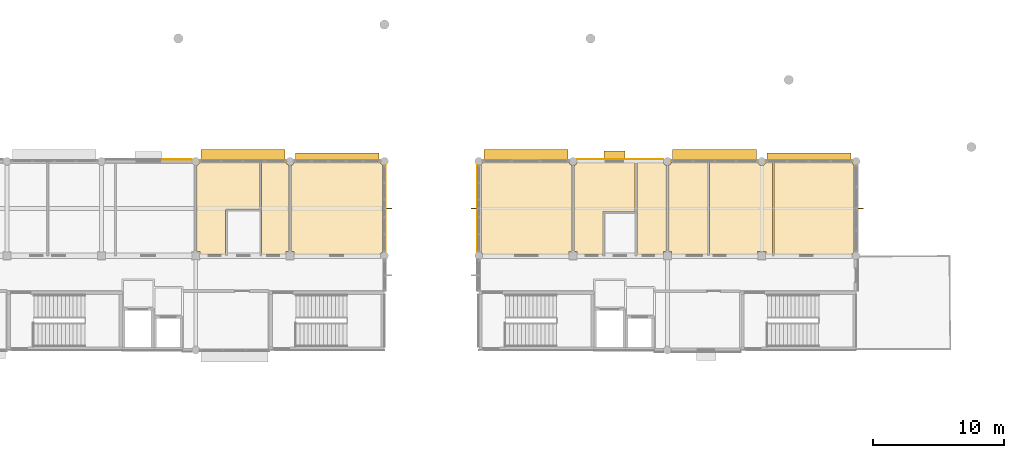
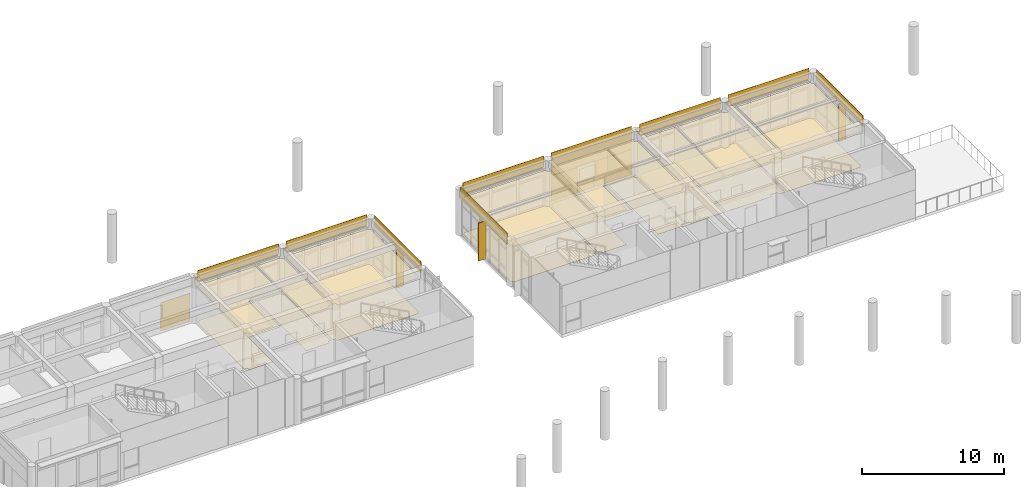
# One storey, part 40 of 41: 31 coverings, 9 shading devices.
"""IFC4 building model written with IfcOpenShell, lengths in metres."""

import ifcopenshell
import ifcopenshell.guid

model = None  # the IFC model being written
_history = None  # IfcOwnerHistory: only IFC2X3 demands one
_inside = {}  # id of a spatial element -> (the spatial element, [elements in it])
_under = {}  # id of a project, library or spatial element -> (it, [spatial elements below it])
_declared = {}  # id of a project -> (the project, [libraries it declares])
_typed = {}  # id of a type object -> (the type object, [elements of that type])
_made_of = {}  # id of a material, layer set ... -> (it, [elements and type objects made of it])


def new_model(schema):
    """Start an empty IFC model of exactly this schema.

    Asked for "IFC4X3", IfcOpenShell would pick the latest addendum, in which some entities
    have other attributes; the version numbers below select the first issue.
    IFC2X3 requires an IfcOwnerHistory on every rooted entity: one is made here for all.
    """
    global model, _history
    if schema == "IFC4X3":
        model = ifcopenshell.file(schema_version=(4, 3, 0, 0))
    else:
        model = ifcopenshell.file(schema=schema)
    _inside.clear()
    _under.clear()
    _declared.clear()
    _typed.clear()
    _made_of.clear()
    _history = None
    if model.schema == "IFC2X3":
        org = make("IfcOrganization", Name="unknown")
        user = make(
            "IfcPersonAndOrganization",
            ThePerson=make("IfcPerson", FamilyName="unknown"),
            TheOrganization=org,
        )
        app = make(
            "IfcApplication",
            ApplicationDeveloper=org,
            Version="unknown",
            ApplicationFullName="unknown",
            ApplicationIdentifier="unknown",
        )
        _history = make(
            "IfcOwnerHistory",
            OwningUser=user,
            OwningApplication=app,
            ChangeAction="ADDED",
            CreationDate=0,
        )
    return model


def make(cls, **values):
    """One entity of the class cls with the attributes given. An attribute that is None is left unset."""
    return model.create_entity(
        cls, **{name: value for name, value in values.items() if value is not None}
    )


def rooted(cls, **values):
    """An entity with a GlobalId (a new one), such as an element, a storey or a relation."""
    return make(cls, GlobalId=ifcopenshell.guid.new(), OwnerHistory=_history, **values)


def si_unit(unit_type, name, prefix=None):
    """IfcSIUnit, for example si_unit("LENGTHUNIT", "METRE", prefix="MILLI")."""
    return make("IfcSIUnit", UnitType=unit_type, Prefix=prefix, Name=name)


def assignment(units):
    """IfcUnitAssignment: the units of a project."""
    return None if units is None else make("IfcUnitAssignment", Units=units)


def point(xyz):
    """IfcCartesianPoint."""
    return None if xyz is None else make("IfcCartesianPoint", Coordinates=xyz)


def direction(xyz):
    """IfcDirection."""
    return None if xyz is None else make("IfcDirection", DirectionRatios=xyz)


def frame(location, z_axis=None, x_axis=None):
    """IfcAxis2Placement3D, a coordinate frame: its origin and axes. An axis left out is left unset."""
    return make(
        "IfcAxis2Placement3D",
        Location=point(location),
        Axis=direction(z_axis),
        RefDirection=direction(x_axis),
    )


def frame_2d(location, x_axis=None):
    """IfcAxis2Placement2D, a coordinate frame in the plane: its origin and x axis."""
    return make(
        "IfcAxis2Placement2D", Location=point(location), RefDirection=direction(x_axis)
    )


def origin():
    """The frame at (0, 0, 0) with its axes left unset."""
    return frame((0.0, 0.0, 0.0))


def origin_2d():
    """The frame at (0, 0) in the plane with its x axis left unset."""
    return frame_2d((0.0, 0.0))


def place(relative_to, where):
    """IfcLocalPlacement: puts the frame where relative to a parent placement (None: the world)."""
    return make(
        "IfcLocalPlacement", PlacementRelTo=relative_to, RelativePlacement=where
    )


def context(
    kind, dimensions, precision=None, world=None, true_north=None, identifier=None
):
    """IfcGeometricRepresentationContext, for example the 3D "Model" context."""
    return make(
        "IfcGeometricRepresentationContext",
        ContextIdentifier=identifier,
        ContextType=kind,
        CoordinateSpaceDimension=dimensions,
        Precision=precision,
        WorldCoordinateSystem=world,
        TrueNorth=true_north,
    )


def subcontext(parent, identifier, kind, view, scale=None):
    """IfcGeometricRepresentationSubContext, for example "Body" below "Model"."""
    return make(
        "IfcGeometricRepresentationSubContext",
        ContextIdentifier=identifier,
        ContextType=kind,
        ParentContext=parent,
        TargetScale=scale,
        TargetView=view,
    )


def project(units=None, contexts=None):
    """IfcProject with its units and contexts."""
    return rooted(
        "IfcProject",
        Name="project",
        RepresentationContexts=contexts,
        UnitsInContext=assignment(units),
    )


def spatial(cls, under=None, at=None, **own):
    """A site, building, storey or space (cls), placed at a placement, below another one or the project."""
    s = rooted(cls, ObjectPlacement=at, **own)
    if under is not None:
        _under.setdefault(under.id(), (under, []))[1].append(s)
    return s


def polyline(points):
    """IfcPolyline through the points."""
    return make("IfcPolyline", Points=[point(p) for p in points])


def profile(cls, at=None, kind="AREA", **sizes):
    """A parametric profile (cls). Its sizes go by their IFC names, for example OverallWidth=200.0."""
    return make(cls, ProfileType=kind, Position=at, **sizes)


def rectangle(**sizes):
    """IfcRectangleProfileDef."""
    return profile("IfcRectangleProfileDef", **sizes)


def outline(outer, holes=None, kind="AREA"):
    """IfcArbitraryClosedProfileDef: a profile drawn as a closed curve; with holes, ...WithVoids."""
    if holes is None:
        return make("IfcArbitraryClosedProfileDef", ProfileType=kind, OuterCurve=outer)
    return make(
        "IfcArbitraryProfileDefWithVoids",
        ProfileType=kind,
        OuterCurve=outer,
        InnerCurves=holes,
    )


def extrude(swept, where, along, depth):
    """IfcExtrudedAreaSolid: the profile swept, set in the frame where, extruded along a direction by depth."""
    return make(
        "IfcExtrudedAreaSolid",
        SweptArea=swept,
        Position=where,
        ExtrudedDirection=direction(along),
        Depth=depth,
    )


def shape(context_of_items, identifier, shape_type, items):
    """IfcShapeRepresentation: the items that make up one representation, for example the "Body"."""
    return make(
        "IfcShapeRepresentation",
        ContextOfItems=context_of_items,
        RepresentationIdentifier=identifier,
        RepresentationType=shape_type,
        Items=items,
    )


def material(Name=None, Category=None):
    """IfcMaterial."""
    return make("IfcMaterial", Name=Name, Category=Category)


def layer(
    of_material, thickness, ventilated=None, Name=None, Category=None, Priority=None
):
    """IfcMaterialLayer: one layer of a wall or slab, of a material (None: an air gap)."""
    return make(
        "IfcMaterialLayer",
        Material=of_material,
        LayerThickness=thickness,
        IsVentilated=ventilated,
        Name=Name,
        Category=Category,
        Priority=Priority,
    )


def layer_set(layers, Name=None):
    """IfcMaterialLayerSet."""
    return make("IfcMaterialLayerSet", MaterialLayers=layers, LayerSetName=Name)


def made_of(thing, what):
    """Note that an element or type object is made of a material, layer set ...; save() writes the relation."""
    if what is not None:
        _made_of.setdefault(what.id(), (what, []))[1].append(thing)
    return thing


def type_object(cls, material=None, **own):
    """A type object (cls), such as IfcWallType, which elements share."""
    return made_of(rooted(cls, **own), material)


def element(
    cls,
    number,
    at=None,
    inside=None,
    cuts=None,
    type_object=None,
    material=None,
    context=None,
    identifier="Body",
    shape_type=None,
    held_by="IfcProductDefinitionShape",
    body=None,
    shapes=None,
    **own,
):
    """One element of the class cls, such as IfcWall. Its Tag is "e" and its number.

    at: its placement. inside: the storey or other place that contains it. cuts: it is an
    opening in that element (IfcRelVoidsElement). A single representation is given by context,
    identifier, shape_type and body (its items); several are given by shapes. held_by: the class
    of the entity that holds the representations. save() writes the other relations.
    """
    e = rooted(cls, Tag="e%d" % number, ObjectPlacement=at, **own)
    if body is not None:
        shapes = [shape(context, identifier, shape_type, body)]
    if shapes is not None:
        e.Representation = make(held_by, Representations=shapes)
    if inside is not None:
        _inside.setdefault(inside.id(), (inside, []))[1].append(e)
    if cuts is not None:
        rooted(
            "IfcRelVoidsElement", RelatingBuildingElement=cuts, RelatedOpeningElement=e
        )
    if type_object is not None:
        _typed.setdefault(type_object.id(), (type_object, []))[1].append(e)
    return made_of(e, material)


def aggregate(whole, parts):
    """IfcRelAggregates: a whole, such as a stair, and the parts it consists of."""
    return rooted("IfcRelAggregates", RelatingObject=whole, RelatedObjects=parts)


def save(model, path):
    """Write the relations noted so far, then the file.

    IfcRelAggregates (storeys below a building ...), IfcRelContainedInSpatialStructure (elements
    in a storey), IfcRelDefinesByType, IfcRelAssociatesMaterial and IfcRelDeclares: one each for
    every whole, place, type object, material and project.
    """
    for whole, parts in _under.values():
        aggregate(whole, parts)
    for where, things in _inside.values():
        rooted(
            "IfcRelContainedInSpatialStructure",
            RelatedElements=things,
            RelatingStructure=where,
        )
    for kind, things in _typed.values():
        rooted("IfcRelDefinesByType", RelatedObjects=things, RelatingType=kind)
    for what, things in _made_of.values():
        rooted("IfcRelAssociatesMaterial", RelatedObjects=things, RelatingMaterial=what)
    for by, libraries in _declared.values():
        rooted("IfcRelDeclares", RelatingContext=by, RelatedDefinitions=libraries)
    model.write(path)


model = new_model("IFC4")

# Units and contexts
model_context = context("Model", 3, precision=1e-05, world=origin(), true_north=direction((0.0, 1.0)))
body_context = subcontext(model_context, "Body", "Model", "MODEL_VIEW")
ifc_project = project(units=[si_unit("LENGTHUNIT", "METRE"), si_unit("AREAUNIT", "SQUARE_METRE"), si_unit("VOLUMEUNIT", "CUBIC_METRE"), si_unit("PLANEANGLEUNIT", "RADIAN"), si_unit("MASSUNIT", "GRAM", prefix="KILO")], contexts=[model_context])

# Site, building, storey
site_placement = place(None, origin())
site = spatial("IfcSite", under=ifc_project, at=site_placement, CompositionType="ELEMENT")
building_placement = place(site_placement, origin())
building = spatial("IfcBuilding", under=site, at=building_placement, Name="Namkhue Oval Health Centre", CompositionType="ELEMENT")
storey_placement = place(building_placement, frame((0.0, 0.0, 13.800048828125)))
storey = spatial("IfcBuildingStorey", under=building, at=storey_placement, Name="L03", CompositionType="ELEMENT", Elevation=13.800048828125)

# Coverings
ifc_material_1 = material(Name="Acoustic mineral-fibre cleanroom ceiling", Category="gypsum")
ifc_layer_1 = layer(ifc_material_1, 0.02001953125)
ifc_layer_set_1 = layer_set([ifc_layer_1], Name="Acoustic mineral-fibre cleanroom ceiling")
covering_type_1 = type_object("IfcCoveringType", Name="ACOUSTIC CLEANROOM CEILING 20", PredefinedType="CEILING", material=ifc_layer_set_1)
covering_1_placement = place(storey_placement, frame((0.0, 0.0, 3.050048828125)))
element("IfcCovering", 1, at=covering_1_placement, inside=storey, type_object=covering_type_1, Name="Acoustic Ceiling L03-205 Clean Treatment Utility Room", PredefinedType="CEILING", context=body_context, shape_type="SweptSolid", body=[
    extrude(outline(polyline([(76.89990234375, 104.31494140625), (76.89990234375, 100.739990234375), (74.280029296875, 100.739990234375), (74.280029296875, 97.280029296875), (72.31005859375, 97.280029296875), (72.31005859375, 97.510009765625), (72.070068359375, 97.510009765625), (72.070068359375, 104.09912109375), (72.080078125, 104.1005859375), (72.155029296875, 104.131591796875), (72.21923828125, 104.180908203125), (72.2685546875, 104.2451171875), (72.297607421875, 104.31494140625), (76.89990234375, 104.31494140625)])), origin(), (0.0, 0.0, 1.0), 0.02001953125),
])
covering_2_placement = place(storey_placement, frame((0.0, 0.0, 3.050048828125)))
element("IfcCovering", 2, at=covering_2_placement, inside=storey, type_object=covering_type_1, Name="Acoustic Ceiling L03-207 Staff Washroom", PredefinedType="CEILING", context=body_context, shape_type="SweptSolid", body=[
    extrude(outline(polyline([(77.02001953125, 97.280029296875), (77.02001953125, 104.31494140625), (78.902587890625, 104.31494140625), (78.931396484375, 104.2451171875), (78.980712890625, 104.180908203125), (79.044921875, 104.131591796875), (79.119873046875, 104.1005859375), (79.1298828125, 104.09912109375), (79.1298828125, 97.510009765625), (78.889892578125, 97.510009765625), (78.889892578125, 97.280029296875), (77.02001953125, 97.280029296875)])), origin(), (0.0, 0.0, 1.0), 0.02001953125),
])
covering_3_placement = place(storey_placement, frame((0.0, 0.0, 3.050048828125)))
element("IfcCovering", 3, at=covering_3_placement, inside=storey, type_object=covering_type_1, Name="Acoustic Ceiling L03-208 Allergy Testing Clinic", PredefinedType="CEILING", context=body_context, shape_type="SweptSolid", body=[
    extrude(outline(polyline([(79.510009765625, 97.280029296875), (79.510009765625, 97.510009765625), (79.27001953125, 97.510009765625), (79.27001953125, 104.09912109375), (79.2802734375, 104.1005859375), (79.35498046875, 104.131591796875), (79.419189453125, 104.180908203125), (79.468505859375, 104.2451171875), (79.49755859375, 104.31494140625), (86.1025390625, 104.31494140625), (86.131591796875, 104.2451171875), (86.180908203125, 104.180908203125), (86.2451171875, 104.131591796875), (86.2451171875, 97.468505859375), (86.180908203125, 97.419189453125), (86.131591796875, 97.35498046875), (86.1005859375, 97.280029296875), (79.510009765625, 97.280029296875)])), origin(), (0.0, 0.0, 1.0), 0.02001953125),
])
covering_4_placement = place(storey_placement, frame((0.0, 0.0, 3.050048828125)))
element("IfcCovering", 4, at=covering_4_placement, inside=storey, type_object=covering_type_1, Name="Acoustic Ceiling L03-301 Community Health Seminar Room", PredefinedType="CEILING", context=body_context, shape_type="SweptSolid", body=[
    extrude(outline(polyline([(93.8994140625, 97.280029296875), (93.868408203125, 97.35498046875), (93.819091796875, 97.419189453125), (93.7548828125, 97.468505859375), (93.7548828125, 104.131591796875), (93.819091796875, 104.180908203125), (93.868408203125, 104.2451171875), (93.8974609375, 104.31494140625), (100.50244140625, 104.31494140625), (100.531494140625, 104.2451171875), (100.580810546875, 104.180908203125), (100.64501953125, 104.131591796875), (100.7197265625, 104.1005859375), (100.72998046875, 104.09912109375), (100.72998046875, 97.510009765625), (100.489990234375, 97.510009765625), (100.489990234375, 97.280029296875), (93.8994140625, 97.280029296875)])), origin(), (0.0, 0.0, 1.0), 0.02001953125),
])
covering_5_placement = place(storey_placement, frame((0.0, 0.0, 3.050048828125)))
element("IfcCovering", 5, at=covering_5_placement, inside=storey, type_object=covering_type_1, Name="Acoustic Ceiling L03-302 Health Education Prep Utility", PredefinedType="CEILING", context=body_context, shape_type="SweptSolid", body=[
    extrude(outline(polyline([(105.5400390625, 104.31494140625), (105.5400390625, 100.580078125), (103.080078125, 100.580078125), (103.080078125, 97.280029296875), (101.110107421875, 97.280029296875), (101.110107421875, 97.510009765625), (100.8701171875, 97.510009765625), (100.8701171875, 104.09912109375), (100.880126953125, 104.1005859375), (100.955078125, 104.131591796875), (101.019287109375, 104.180908203125), (101.068603515625, 104.2451171875), (101.097412109375, 104.31494140625), (105.5400390625, 104.31494140625)])), origin(), (0.0, 0.0, 1.0), 0.02001953125),
])
covering_6_placement = place(storey_placement, frame((0.0, 0.0, 3.050048828125)))
element("IfcCovering", 6, at=covering_6_placement, inside=storey, type_object=covering_type_1, Name="Acoustic Ceiling L03-304 Public Washroom", PredefinedType="CEILING", context=body_context, shape_type="SweptSolid", body=[
    extrude(outline(polyline([(105.659912109375, 97.280029296875), (105.659912109375, 104.31494140625), (107.702392578125, 104.31494140625), (107.7314453125, 104.2451171875), (107.78076171875, 104.180908203125), (107.844970703125, 104.131591796875), (107.919921875, 104.1005859375), (107.929931640625, 104.09912109375), (107.929931640625, 97.510009765625), (107.68994140625, 97.510009765625), (107.68994140625, 97.280029296875), (105.659912109375, 97.280029296875)])), origin(), (0.0, 0.0, 1.0), 0.02001953125),
])
covering_7_placement = place(storey_placement, frame((0.0, 0.0, 3.050048828125)))
element("IfcCovering", 7, at=covering_7_placement, inside=storey, type_object=covering_type_1, Name="Acoustic Ceiling L03-305 AV Equipment Store", PredefinedType="CEILING", context=body_context, shape_type="SweptSolid", body=[
    extrude(outline(polyline([(108.31005859375, 97.280029296875), (108.31005859375, 97.510009765625), (108.070068359375, 97.510009765625), (108.070068359375, 104.09912109375), (108.080078125, 104.1005859375), (108.155029296875, 104.131591796875), (108.21923828125, 104.180908203125), (108.2685546875, 104.2451171875), (108.297607421875, 104.31494140625), (111.080078125, 104.31494140625), (111.080078125, 97.280029296875), (108.31005859375, 97.280029296875)])), origin(), (0.0, 0.0, 1.0), 0.02001953125),
])
covering_8_placement = place(storey_placement, frame((0.0, 0.0, 3.050048828125)))
element("IfcCovering", 8, at=covering_8_placement, inside=storey, type_object=covering_type_1, Name="Acoustic Ceiling L03-306 Preventive Epidemiology Office", PredefinedType="CEILING", context=body_context, shape_type="SweptSolid", body=[
    extrude(outline(polyline([(115.510009765625, 97.280029296875), (115.510009765625, 97.510009765625), (114.889892578125, 97.510009765625), (114.889892578125, 97.280029296875), (111.219970703125, 97.280029296875), (111.219970703125, 104.31494140625), (114.902587890625, 104.31494140625), (114.931396484375, 104.2451171875), (114.980712890625, 104.180908203125), (115.044921875, 104.131591796875), (115.119873046875, 104.1005859375), (115.199951171875, 104.090087890625), (115.2802734375, 104.1005859375), (115.35498046875, 104.131591796875), (115.419189453125, 104.180908203125), (115.468505859375, 104.2451171875), (115.49755859375, 104.31494140625), (116.0029296875, 104.31494140625), (116.0029296875, 97.280029296875), (115.510009765625, 97.280029296875)])), origin(), (0.0, 0.0, 1.0), 0.02001953125),
])
covering_9_placement = place(storey_placement, frame((0.0, 0.0, 3.050048828125)))
element("IfcCovering", 9, at=covering_9_placement, inside=storey, type_object=covering_type_1, Name="Acoustic Ceiling L03-307 Staff Terrace Lounge", PredefinedType="CEILING", context=body_context, shape_type="SweptSolid", body=[
    extrude(outline(polyline([(116.14306640625, 97.280029296875), (116.14306640625, 104.31494140625), (122.1025390625, 104.31494140625), (122.131591796875, 104.2451171875), (122.180908203125, 104.180908203125), (122.2451171875, 104.131591796875), (122.2451171875, 97.468505859375), (122.180908203125, 97.419189453125), (122.131591796875, 97.35498046875), (122.1005859375, 97.280029296875), (116.14306640625, 97.280029296875)])), origin(), (0.0, 0.0, 1.0), 0.02001953125),
])
ifc_material_2 = material(Name="Homogeneous anti-bacterial clinical vinyl flooring", Category="plastic")
ifc_layer_2 = layer(ifc_material_2, 0.014892578125)
ifc_layer_set_2 = layer_set([ifc_layer_2], Name="Homogeneous anti-bacterial clinical vinyl flooring")
covering_type_2 = type_object("IfcCoveringType", Name="CLINICAL ANTIBACTERIAL VINYL FLOORING 15", PredefinedType="FLOORING", material=ifc_layer_set_2)
covering_10_placement = place(storey_placement, origin())
element("IfcCovering", 10, at=covering_10_placement, inside=storey, type_object=covering_type_2, Name="Clinical Flooring L03-205 Clean Treatment Utility Room", PredefinedType="FLOORING", context=body_context, shape_type="SweptSolid", body=[
    extrude(outline(polyline([(76.89990234375, 104.31494140625), (76.89990234375, 100.739990234375), (74.280029296875, 100.739990234375), (74.280029296875, 97.280029296875), (72.31005859375, 97.280029296875), (72.31005859375, 97.510009765625), (72.070068359375, 97.510009765625), (72.070068359375, 104.09912109375), (72.080078125, 104.1005859375), (72.155029296875, 104.131591796875), (72.21923828125, 104.180908203125), (72.2685546875, 104.2451171875), (72.297607421875, 104.31494140625), (76.89990234375, 104.31494140625)])), origin(), (0.0, 0.0, 1.0), 0.014892578125),
])
covering_11_placement = place(storey_placement, origin())
element("IfcCovering", 11, at=covering_11_placement, inside=storey, type_object=covering_type_2, Name="Clinical Flooring L03-207 Staff Washroom", PredefinedType="FLOORING", context=body_context, shape_type="SweptSolid", body=[
    extrude(outline(polyline([(77.02001953125, 97.280029296875), (77.02001953125, 104.31494140625), (78.902587890625, 104.31494140625), (78.931396484375, 104.2451171875), (78.980712890625, 104.180908203125), (79.044921875, 104.131591796875), (79.119873046875, 104.1005859375), (79.1298828125, 104.09912109375), (79.1298828125, 97.510009765625), (78.889892578125, 97.510009765625), (78.889892578125, 97.280029296875), (77.02001953125, 97.280029296875)])), origin(), (0.0, 0.0, 1.0), 0.014892578125),
])
covering_12_placement = place(storey_placement, origin())
element("IfcCovering", 12, at=covering_12_placement, inside=storey, type_object=covering_type_2, Name="Clinical Flooring L03-208 Allergy Testing Clinic", PredefinedType="FLOORING", context=body_context, shape_type="SweptSolid", body=[
    extrude(outline(polyline([(79.510009765625, 97.280029296875), (79.510009765625, 97.510009765625), (79.27001953125, 97.510009765625), (79.27001953125, 104.09912109375), (79.2802734375, 104.1005859375), (79.35498046875, 104.131591796875), (79.419189453125, 104.180908203125), (79.468505859375, 104.2451171875), (79.49755859375, 104.31494140625), (86.1025390625, 104.31494140625), (86.131591796875, 104.2451171875), (86.180908203125, 104.180908203125), (86.2451171875, 104.131591796875), (86.2451171875, 97.468505859375), (86.180908203125, 97.419189453125), (86.131591796875, 97.35498046875), (86.1005859375, 97.280029296875), (79.510009765625, 97.280029296875)])), origin(), (0.0, 0.0, 1.0), 0.014892578125),
])
covering_13_placement = place(storey_placement, origin())
element("IfcCovering", 13, at=covering_13_placement, inside=storey, type_object=covering_type_2, Name="Clinical Flooring L03-301 Community Health Seminar Room", PredefinedType="FLOORING", context=body_context, shape_type="SweptSolid", body=[
    extrude(outline(polyline([(93.8994140625, 97.280029296875), (93.868408203125, 97.35498046875), (93.819091796875, 97.419189453125), (93.7548828125, 97.468505859375), (93.7548828125, 104.131591796875), (93.819091796875, 104.180908203125), (93.868408203125, 104.2451171875), (93.8974609375, 104.31494140625), (100.50244140625, 104.31494140625), (100.531494140625, 104.2451171875), (100.580810546875, 104.180908203125), (100.64501953125, 104.131591796875), (100.7197265625, 104.1005859375), (100.72998046875, 104.09912109375), (100.72998046875, 97.510009765625), (100.489990234375, 97.510009765625), (100.489990234375, 97.280029296875), (93.8994140625, 97.280029296875)])), origin(), (0.0, 0.0, 1.0), 0.014892578125),
])
covering_14_placement = place(storey_placement, origin())
element("IfcCovering", 14, at=covering_14_placement, inside=storey, type_object=covering_type_2, Name="Clinical Flooring L03-302 Health Education Prep Utility", PredefinedType="FLOORING", context=body_context, shape_type="SweptSolid", body=[
    extrude(outline(polyline([(105.5400390625, 104.31494140625), (105.5400390625, 100.580078125), (103.080078125, 100.580078125), (103.080078125, 97.280029296875), (101.110107421875, 97.280029296875), (101.110107421875, 97.510009765625), (100.8701171875, 97.510009765625), (100.8701171875, 104.09912109375), (100.880126953125, 104.1005859375), (100.955078125, 104.131591796875), (101.019287109375, 104.180908203125), (101.068603515625, 104.2451171875), (101.097412109375, 104.31494140625), (105.5400390625, 104.31494140625)])), origin(), (0.0, 0.0, 1.0), 0.014892578125),
])
covering_15_placement = place(storey_placement, origin())
element("IfcCovering", 15, at=covering_15_placement, inside=storey, type_object=covering_type_2, Name="Clinical Flooring L03-304 Public Washroom", PredefinedType="FLOORING", context=body_context, shape_type="SweptSolid", body=[
    extrude(outline(polyline([(105.659912109375, 97.280029296875), (105.659912109375, 104.31494140625), (107.702392578125, 104.31494140625), (107.7314453125, 104.2451171875), (107.78076171875, 104.180908203125), (107.844970703125, 104.131591796875), (107.919921875, 104.1005859375), (107.929931640625, 104.09912109375), (107.929931640625, 97.510009765625), (107.68994140625, 97.510009765625), (107.68994140625, 97.280029296875), (105.659912109375, 97.280029296875)])), origin(), (0.0, 0.0, 1.0), 0.014892578125),
])
covering_16_placement = place(storey_placement, origin())
element("IfcCovering", 16, at=covering_16_placement, inside=storey, type_object=covering_type_2, Name="Clinical Flooring L03-305 AV Equipment Store", PredefinedType="FLOORING", context=body_context, shape_type="SweptSolid", body=[
    extrude(outline(polyline([(108.31005859375, 97.280029296875), (108.31005859375, 97.510009765625), (108.070068359375, 97.510009765625), (108.070068359375, 104.09912109375), (108.080078125, 104.1005859375), (108.155029296875, 104.131591796875), (108.21923828125, 104.180908203125), (108.2685546875, 104.2451171875), (108.297607421875, 104.31494140625), (111.080078125, 104.31494140625), (111.080078125, 97.280029296875), (108.31005859375, 97.280029296875)])), origin(), (0.0, 0.0, 1.0), 0.014892578125),
])
covering_17_placement = place(storey_placement, origin())
element("IfcCovering", 17, at=covering_17_placement, inside=storey, type_object=covering_type_2, Name="Clinical Flooring L03-306 Preventive Epidemiology Office", PredefinedType="FLOORING", context=body_context, shape_type="SweptSolid", body=[
    extrude(outline(polyline([(115.510009765625, 97.280029296875), (115.510009765625, 97.510009765625), (114.889892578125, 97.510009765625), (114.889892578125, 97.280029296875), (111.219970703125, 97.280029296875), (111.219970703125, 104.31494140625), (114.902587890625, 104.31494140625), (114.931396484375, 104.2451171875), (114.980712890625, 104.180908203125), (115.044921875, 104.131591796875), (115.119873046875, 104.1005859375), (115.199951171875, 104.090087890625), (115.2802734375, 104.1005859375), (115.35498046875, 104.131591796875), (115.419189453125, 104.180908203125), (115.468505859375, 104.2451171875), (115.49755859375, 104.31494140625), (116.0029296875, 104.31494140625), (116.0029296875, 97.280029296875), (115.510009765625, 97.280029296875)])), origin(), (0.0, 0.0, 1.0), 0.014892578125),
])
covering_18_placement = place(storey_placement, origin())
element("IfcCovering", 18, at=covering_18_placement, inside=storey, type_object=covering_type_2, Name="Clinical Flooring L03-307 Staff Terrace Lounge", PredefinedType="FLOORING", context=body_context, shape_type="SweptSolid", body=[
    extrude(outline(polyline([(116.14306640625, 97.280029296875), (116.14306640625, 104.31494140625), (122.1025390625, 104.31494140625), (122.131591796875, 104.2451171875), (122.180908203125, 104.180908203125), (122.2451171875, 104.131591796875), (122.2451171875, 97.468505859375), (122.180908203125, 97.419189453125), (122.131591796875, 97.35498046875), (122.1005859375, 97.280029296875), (116.14306640625, 97.280029296875)])), origin(), (0.0, 0.0, 1.0), 0.014892578125),
])

# Shading devices
ifc_material_3 = material(Name="Anodised aluminium EN AW-6063 T6", Category="aluminium")
ifc_layer_3 = layer(ifc_material_3, 0.06005859375)
ifc_layer_set_3 = layer_set([ifc_layer_3], Name="Anodised aluminium EN AW-6063 T6")
shading_device_type_1 = type_object("IfcShadingDeviceType", Name="MONSOON SUN LOUVRE 900", PredefinedType="JALOUSIE", material=ifc_layer_set_3)
for number, where, z_axis, x_axis, name in (
    (19, (75.60009765625, 104.85009765625, 3.224853515625), (0.0, 0.0, 1.0), (-1.0, 0.0, 0.0), "Volume V2 L03 Horizontal Monsoon Sun Louvre 94"),
    (20, (111.60009765625, 104.85009765625, 3.199951171875), (0.0, 0.0, 1.0), (-1.0, 0.0, 0.0), "Volume V3 L03 Horizontal Monsoon Sun Louvre 158"),
    (21, (97.199951171875, 104.85009765625, 3.199951171875), (0.0, 0.0, 1.0), (-1.0, 0.0, 0.0), "Volume V3 L03 Horizontal Monsoon Sun Louvre 160"),
):
    element("IfcShadingDevice", number, at=place(storey_placement, frame(where, z_axis=z_axis, x_axis=x_axis)), inside=storey, type_object=shading_device_type_1, Name=name, PredefinedType="JALOUSIE", context=body_context, shape_type="SweptSolid", body=[
        extrude(rectangle(XDim=6.409912109375, YDim=0.89990234375, at=origin_2d()), origin(), (0.0, 0.0, 1.0), 0.06005859375),
    ])
ifc_layer_4 = layer(ifc_material_3, 0.050048828125)
ifc_layer_set_4 = layer_set([ifc_layer_4], Name="Anodised aluminium EN AW-6063 T6")
shading_device_type_2 = type_object("IfcShadingDeviceType", Name="STORM SHUTTER LOUVRE 650", PredefinedType="SHUTTER", material=ifc_layer_set_4)
for number, where, z_axis, x_axis, name in (
    (22, (82.800048828125, 104.72509765625, 3.224853515625), (0.0, 0.0, 1.0), (-1.0, 0.0, 0.0), "Volume V2 L03 Horizontal Monsoon Sun Louvre 93"),
    (23, (118.800048828125, 104.72509765625, 3.199951171875), (0.0, 0.0, 1.0), (-1.0, 0.0, 0.0), "Volume V3 L03 Horizontal Monsoon Sun Louvre 157"),
):
    element("IfcShadingDevice", number, at=place(storey_placement, frame(where, z_axis=z_axis, x_axis=x_axis)), inside=storey, type_object=shading_device_type_2, Name=name, PredefinedType="SHUTTER", context=body_context, shape_type="SweptSolid", body=[
        extrude(rectangle(XDim=6.409912109375, YDim=0.64990234375, at=origin_2d()), origin(), (0.0, 0.0, 1.0), 0.06005859375),
    ])
shading_device_1_placement = place(storey_placement, frame((103.949951171875, 104.864990234375, 2.219970703125), z_axis=(0.0, 0.0, 1.0), x_axis=(-1.0, 0.0, 0.0)))
element("IfcShadingDevice", 24, at=shading_device_1_placement, inside=storey, type_object=shading_device_type_2, Name="Volume V3 L03 Window Monsoon Louvre 159", PredefinedType="SHUTTER", context=body_context, shape_type="SweptSolid", body=[
    extrude(rectangle(XDim=1.590087890625, YDim=0.64990234375, at=origin_2d()), origin(), (0.0, 0.0, 1.0), 0.06005859375),
])
shading_device_type_3 = type_object("IfcShadingDeviceType", Name="VERTICAL SOLAR FIN 600", PredefinedType="USERDEFINED", material=ifc_material_3)
shading_device_2_placement = place(storey_placement, frame((86.659912109375, 100.800048828125, 0.0), z_axis=(0.0, 0.0, 1.0), x_axis=(1.0, 0.0, 0.0)))
element("IfcShadingDevice", 25, at=shading_device_2_placement, inside=storey, type_object=shading_device_type_3, Name="Volume V2 L03 Extruded Aluminium Solar Fin 92", ObjectType="SOLAR FIN", PredefinedType="USERDEFINED", context=body_context, shape_type="SweptSolid", body=[
    extrude(rectangle(XDim=0.60009765625, YDim=0.06005859375, at=origin_2d()), origin(), (0.0, 0.0, 1.0), 3.294921875),
])
for number, where, z_axis, x_axis, name in (
    (26, (122.659912109375, 100.800048828125, 0.0), (0.0, 0.0, 1.0), (1.0, 0.0, 0.0), "Volume V3 L03 Extruded Aluminium Solar Fin 156"),
    (27, (93.340087890625, 100.800048828125, 0.0), (0.0, 0.0, 1.0), (-1.0, 0.0, 0.0), "Volume V3 L03 Extruded Aluminium Solar Fin 161"),
):
    element("IfcShadingDevice", number, at=place(storey_placement, frame(where, z_axis=z_axis, x_axis=x_axis)), inside=storey, type_object=shading_device_type_3, Name=name, ObjectType="SOLAR FIN", PredefinedType="USERDEFINED", context=body_context, shape_type="SweptSolid", body=[
        extrude(rectangle(XDim=0.60009765625, YDim=0.06005859375, at=origin_2d()), origin(), (0.0, 0.0, 1.0), 3.27001953125),
    ])

# Coverings
ifc_material_4 = material(Name="White glass-fibre reinforced concrete GRC rainscreen cladding", Category="concrete")
ifc_layer_5 = layer(ifc_material_4, 0.02490234375)
ifc_layer_set_5 = layer_set([ifc_layer_5], Name="White glass-fibre reinforced concrete GRC rainscreen cladding")
covering_type_3 = type_object("IfcCoveringType", Name="WHITE GRC RAINSCREEN CLADDING 25", PredefinedType="CLADDING", material=ifc_layer_set_5)
for number, where, z_axis, x_axis, name in (
    (28, (86.488525390625, 100.800048828125, 3.280029296875), (0.0, 0.0, 1.0), (0.0, 1.0, 0.0), "Volume V2 L03 Curtain Wall Spandrel Cladding 73"),
    (29, (82.800048828125, 104.488525390625, 3.280029296875), (0.0, 0.0, 1.0), (-1.0, 0.0, 0.0), "Volume V2 L03 Curtain Wall Spandrel Cladding 74"),
    (30, (75.60009765625, 104.488525390625, 3.280029296875), (0.0, 0.0, 1.0), (-1.0, 0.0, 0.0), "Volume V2 L03 Curtain Wall Spandrel Cladding 75"),
):
    element("IfcCovering", number, at=place(storey_placement, frame(where, z_axis=z_axis, x_axis=x_axis)), inside=storey, type_object=covering_type_3, Name=name, PredefinedType="CLADDING", context=body_context, shape_type="SweptSolid", body=[
        extrude(rectangle(XDim=6.60009765625, YDim=0.02490234375, at=origin_2d()), origin(), (0.0, 0.0, 1.0), 0.919921875),
    ])
covering_19_placement = place(storey_placement, frame((70.5, 104.537109375, 0.010009765625), z_axis=(0.0, 0.0, 1.0), x_axis=(-1.0, 0.0, 0.0)))
element("IfcCovering", 31, at=covering_19_placement, inside=storey, type_object=covering_type_3, Name="Volume V2 L03 Facade 40 White GRC Cladding 2", PredefinedType="CLADDING", context=body_context, shape_type="SweptSolid", body=[
    extrude(rectangle(XDim=2.3701171875, YDim=0.02490234375, at=origin_2d()), origin(), (0.0, 0.0, 1.0), 2.43994140625),
])
for number, where, z_axis, x_axis, name in (
    (32, (122.488525390625, 100.800048828125, 3.2548828125), (0.0, 0.0, 1.0), (0.0, 1.0, 0.0), "Volume V3 L03 Curtain Wall Spandrel Cladding 117"),
    (33, (118.800048828125, 104.488525390625, 3.2548828125), (0.0, 0.0, 1.0), (-1.0, 0.0, 0.0), "Volume V3 L03 Curtain Wall Spandrel Cladding 118"),
    (34, (111.60009765625, 104.488525390625, 3.2548828125), (0.0, 0.0, 1.0), (-1.0, 0.0, 0.0), "Volume V3 L03 Curtain Wall Spandrel Cladding 119"),
):
    element("IfcCovering", number, at=place(storey_placement, frame(where, z_axis=z_axis, x_axis=x_axis)), inside=storey, type_object=covering_type_3, Name=name, PredefinedType="CLADDING", context=body_context, shape_type="SweptSolid", body=[
        extrude(rectangle(XDim=6.60009765625, YDim=0.02490234375, at=origin_2d()), origin(), (0.0, 0.0, 1.0), 0.945068359375),
    ])
covering_20_placement = place(storey_placement, frame((104.39990234375, 104.56201171875, 2.21484375), z_axis=(0.0, 0.0, 1.0), x_axis=(-1.0, 0.0, 0.0)))
element("IfcCovering", 35, at=covering_20_placement, inside=storey, type_object=covering_type_3, Name="Volume V3 L03 Facade 77 White GRC Cladding 1", PredefinedType="CLADDING", context=body_context, shape_type="SweptSolid", body=[
    extrude(rectangle(XDim=6.570068359375, YDim=0.02490234375, at=origin_2d()), origin(), (0.0, 0.0, 1.0), 1.97509765625),
])
covering_21_placement = place(storey_placement, frame((106.16259765625, 104.56201171875, 0.009765625), z_axis=(0.0, 0.0, 1.0), x_axis=(-1.0, 0.0, 0.0)))
element("IfcCovering", 36, at=covering_21_placement, inside=storey, type_object=covering_type_3, Name="Volume V3 L03 Facade 77 White GRC Cladding 2", PredefinedType="CLADDING", context=body_context, shape_type="SweptSolid", body=[
    extrude(rectangle(XDim=3.044921875, YDim=0.02490234375, at=origin_2d()), origin(), (0.0, 0.0, 1.0), 2.199951171875),
])
covering_22_placement = place(storey_placement, frame((103.949951171875, 104.56201171875, 0.010009765625), z_axis=(0.0, 0.0, 1.0), x_axis=(-1.0, 0.0, 0.0)))
element("IfcCovering", 37, at=covering_22_placement, inside=storey, type_object=covering_type_3, Name="Volume V3 L03 Facade 77 White GRC Cladding 3", PredefinedType="CLADDING", context=body_context, shape_type="SweptSolid", body=[
    extrude(rectangle(XDim=1.3701171875, YDim=0.02490234375, at=origin_2d()), origin(), (0.0, 0.0, 1.0), 0.875),
])
covering_23_placement = place(storey_placement, frame((102.1875, 104.56201171875, 0.009765625), z_axis=(0.0, 0.0, 1.0), x_axis=(-1.0, 0.0, 0.0)))
element("IfcCovering", 38, at=covering_23_placement, inside=storey, type_object=covering_type_3, Name="Volume V3 L03 Facade 77 White GRC Cladding 4", PredefinedType="CLADDING", context=body_context, shape_type="SweptSolid", body=[
    extrude(rectangle(XDim=2.14501953125, YDim=0.02490234375, at=origin_2d()), origin(), (0.0, 0.0, 1.0), 2.199951171875),
])
for number, where, z_axis, x_axis, name in (
    (39, (97.199951171875, 104.488525390625, 3.2548828125), (0.0, 0.0, 1.0), (-1.0, 0.0, 0.0), "Volume V3 L03 Curtain Wall Spandrel Cladding 120"),
    (40, (93.511474609375, 100.800048828125, 3.2548828125), (0.0, 0.0, 1.0), (0.0, -1.0, 0.0), "Volume V3 L03 Curtain Wall Spandrel Cladding 121"),
):
    element("IfcCovering", number, at=place(storey_placement, frame(where, z_axis=z_axis, x_axis=x_axis)), inside=storey, type_object=covering_type_3, Name=name, PredefinedType="CLADDING", context=body_context, shape_type="SweptSolid", body=[
        extrude(rectangle(XDim=6.60009765625, YDim=0.02490234375, at=origin_2d()), origin(), (0.0, 0.0, 1.0), 0.945068359375),
    ])

save(model, "model.ifc")
